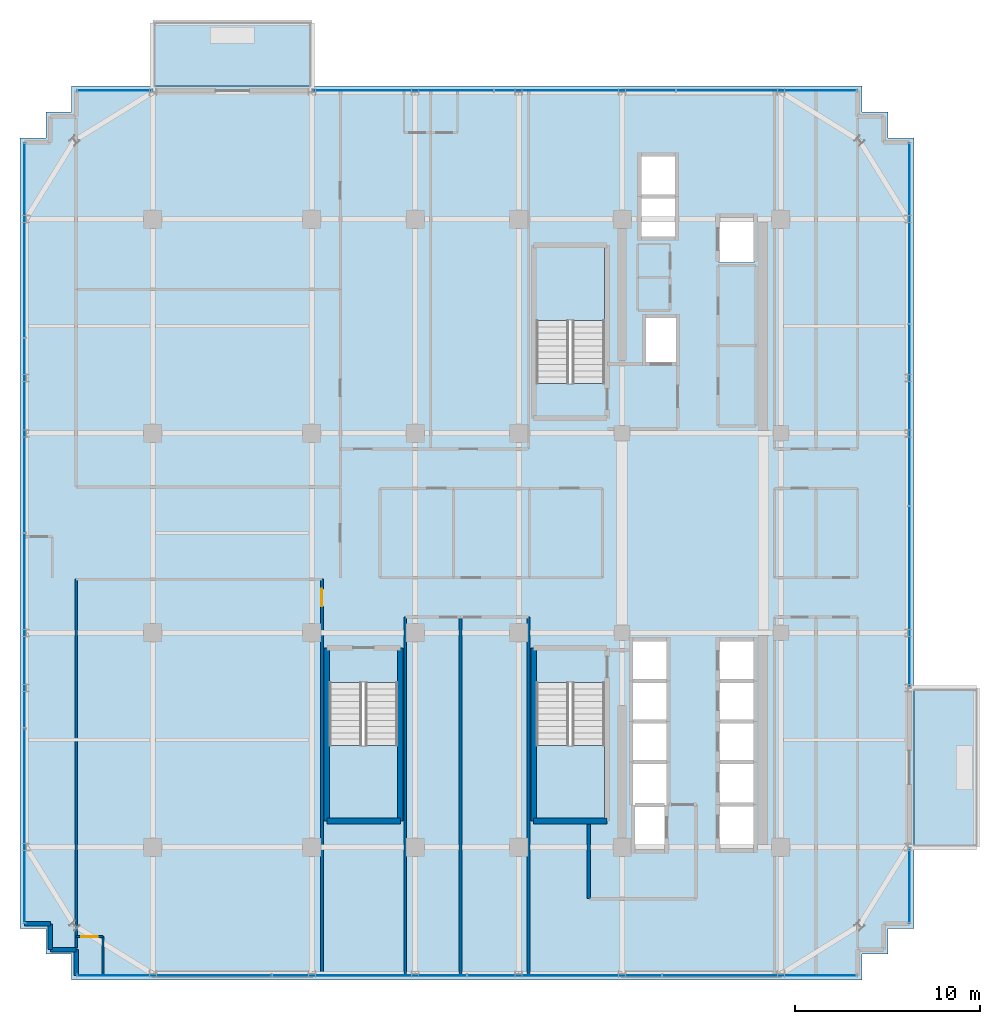
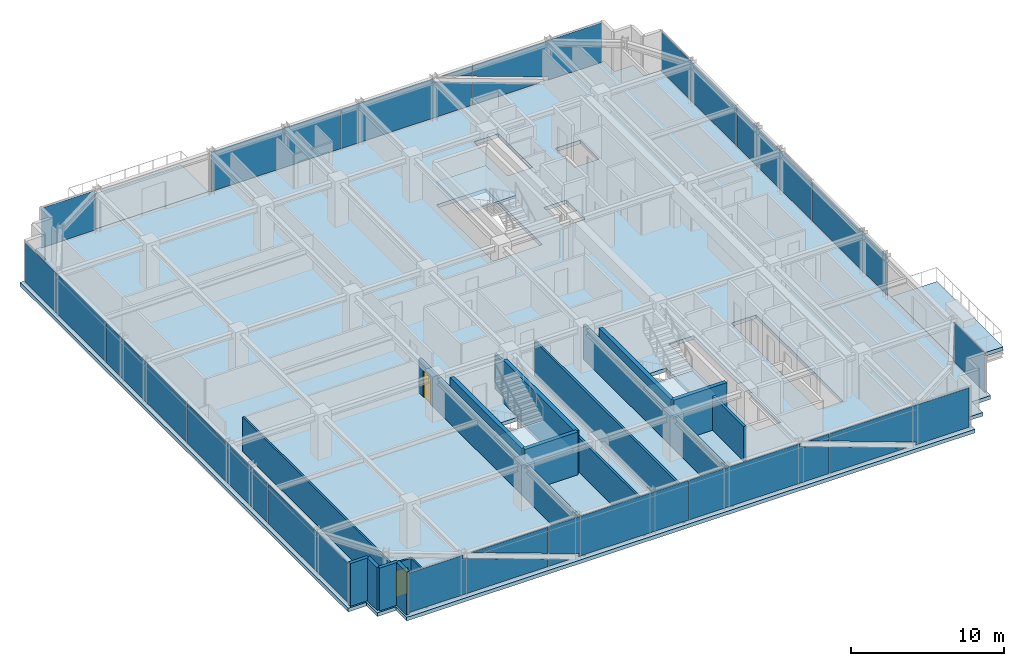
# One storey, part 29 of 36: 17 walls, 16 plates, 6 slabs, 2 doors, 2 openings, 9 elements without a shape of their own.
"""IFC4 building model written with IfcOpenShell, lengths in metres."""

from ifc_helpers import new_model, si_unit, direction, frame, frame_2d, origin, origin_2d, place, context, subcontext, project, spatial, polyline, rectangle, outline, extrude, source, transform, mapped, material, layer, layer_set, type_object, element, fill, aggregate, save


model = new_model("IFC4")

# Units and contexts
model_context = context("Model", 3, precision=1e-05, world=origin(), true_north=direction((0.0, 1.0)))
body_context = subcontext(model_context, "Body", "Model", "MODEL_VIEW")
ifc_project = project(units=[si_unit("LENGTHUNIT", "METRE"), si_unit("AREAUNIT", "SQUARE_METRE"), si_unit("VOLUMEUNIT", "CUBIC_METRE"), si_unit("PLANEANGLEUNIT", "RADIAN"), si_unit("MASSUNIT", "GRAM", prefix="KILO")], contexts=[model_context])

# Site, building, storey
site_placement = place(None, origin())
site = spatial("IfcSite", under=ifc_project, at=site_placement, CompositionType="ELEMENT")
building_placement = place(site_placement, origin())
building = spatial("IfcBuilding", under=site, at=building_placement, Name="Nahalor Promenade Grand Hotel", CompositionType="ELEMENT")
storey_placement = place(building_placement, frame((0.0, 0.0, 219.699951171875)))
storey = spatial("IfcBuildingStorey", under=building, at=storey_placement, Name="L56", CompositionType="ELEMENT", Elevation=219.699951171875)

# Curtain wall, plates
ifc_material_1 = material(Name="Anodised Bronze Aluminium EN AW-6063 T6", Category="aluminium")
curtain_wall_type = type_object("IfcCurtainWallType", Name="CW2 Typical Hotel Flush Bronze Unitised Curtain Wall", PredefinedType="USERDEFINED", material=ifc_material_1)
curtain_wall_1_placement = place(storey_placement, origin())
curtain_wall_1 = element("IfcCurtainWall", 1, at=curtain_wall_1_placement, inside=storey, type_object=curtain_wall_type, Name="L56 Curtain Wall CW-L56-S-1", ObjectType="UNITISED_CURTAIN_WALL", PredefinedType="USERDEFINED")
ifc_material_2 = material(Name="Low-E Laminated Solar Glass", Category="glass")
ifc_layer_1 = layer(ifc_material_2, 0.028076171875)
ifc_layer_set_1 = layer_set([ifc_layer_1], Name="Low-E Laminated Solar Glass")
plate_type = type_object("IfcPlateType", Name="CWP2 Bronze Low-E Vision IGU 28mm", PredefinedType="CURTAIN_PANEL", material=ifc_layer_set_1)
plate_1_placement = place(storey_placement, frame((-15.853759765625, -23.9599609375, 0.130126953125), z_axis=(0.0, 0.0, 1.0), x_axis=(1.0, 0.0, 0.0)))
plate_1 = element("IfcPlate", 2, at=plate_1_placement, type_object=plate_type, Name="CW-L56-S-1 Glazing Panel 0-0", PredefinedType="CURTAIN_PANEL", context=body_context, shape_type="SweptSolid", body=[
    extrude(outline(polyline([(-5.2412109375, 0.0), (5.2412109375, 0.0), (5.2412109375, 0.580810546875), (-1.246337890625, 2.927001953125), (-1.16552734375, 3.14990234375), (-5.2412109375, 3.14990234375), (-5.2412109375, 0.0)])), frame((0.0, 0.01416015625, 0.0), z_axis=(0.0, -1.0, 0.0), x_axis=(1.0, 0.0, 0.0)), (0.0, 0.0, 1.0), 0.028076171875),
    extrude(outline(polyline([(5.2412109375, 1.059326171875), (5.2412109375, 3.14990234375), (-0.5400390625, 3.14990234375), (5.2412109375, 1.059326171875)])), frame((0.0, 0.01416015625, 0.0), z_axis=(0.0, -1.0, 0.0), x_axis=(1.0, 0.0, 0.0)), (0.0, 0.0, 1.0), 0.028076171875),
])
plate_2_placement = place(storey_placement, frame((-5.2900390625, -23.9599609375, 0.130126953125), z_axis=(0.0, 0.0, 1.0), x_axis=(1.0, 0.0, 0.0)))
plate_2 = element("IfcPlate", 3, at=plate_2_placement, type_object=plate_type, Name="CW-L56-S-1 Glazing Panel 1-0", PredefinedType="CURTAIN_PANEL", context=body_context, shape_type="SweptSolid", body=[
    extrude(outline(polyline([(5.257568359375, 3.14990234375), (-5.257568359375, 3.14990234375), (-5.257568359375, 1.035888671875), (-3.010009765625, 0.22314453125), (-3.090576171875, 0.0), (5.257568359375, 0.0), (5.257568359375, 3.14990234375)])), frame((0.0, 0.01416015625, 0.0), z_axis=(0.0, -1.0, 0.0), x_axis=(1.0, 0.0, 0.0)), (0.0, 0.0, 1.0), 0.028076171875),
    extrude(outline(polyline([(-5.257568359375, 0.557373046875), (-5.257568359375, 0.0), (-3.71630859375, 0.0), (-5.257568359375, 0.557373046875)])), frame((0.0, 0.01416015625, 0.0), z_axis=(0.0, -1.0, 0.0), x_axis=(1.0, 0.0, 0.0)), (0.0, 0.0, 1.0), 0.028076171875),
])
plate_3_placement = place(storey_placement, frame((5.2900390625, -23.9599609375, 0.130126953125), z_axis=(0.0, 0.0, 1.0), x_axis=(1.0, 0.0, 0.0)))
plate_3 = element("IfcPlate", 4, at=plate_3_placement, type_object=plate_type, Name="CW-L56-S-1 Glazing Panel 2-0", PredefinedType="CURTAIN_PANEL", context=body_context, shape_type="SweptSolid", body=[
    extrude(outline(polyline([(-5.257568359375, 0.0), (5.257568359375, 0.0), (5.257568359375, 2.1142578125), (3.010009765625, 2.927001953125), (3.090576171875, 3.14990234375), (-5.257568359375, 3.14990234375), (-5.257568359375, 0.0)])), frame((0.0, 0.01416015625, 0.0), z_axis=(0.0, -1.0, 0.0), x_axis=(1.0, 0.0, 0.0)), (0.0, 0.0, 1.0), 0.028076171875),
    extrude(outline(polyline([(5.257568359375, 2.5927734375), (5.257568359375, 3.14990234375), (3.71630859375, 3.14990234375), (5.257568359375, 2.5927734375)])), frame((0.0, 0.01416015625, 0.0), z_axis=(0.0, -1.0, 0.0), x_axis=(1.0, 0.0, 0.0)), (0.0, 0.0, 1.0), 0.028076171875),
])
plate_4_placement = place(storey_placement, frame((15.853759765625, -23.9599609375, 0.130126953125), z_axis=(0.0, 0.0, 1.0), x_axis=(1.0, 0.0, 0.0)))
plate_4 = element("IfcPlate", 5, at=plate_4_placement, type_object=plate_type, Name="CW-L56-S-1 Glazing Panel 3-0", PredefinedType="CURTAIN_PANEL", context=body_context, shape_type="SweptSolid", body=[
    extrude(outline(polyline([(5.2412109375, 3.14990234375), (-5.2412109375, 3.14990234375), (-5.2412109375, 2.569091796875), (1.246337890625, 0.22314453125), (1.16552734375, 0.0), (5.2412109375, 0.0), (5.2412109375, 3.14990234375)])), frame((0.0, 0.01416015625, 0.0), z_axis=(0.0, -1.0, 0.0), x_axis=(1.0, 0.0, 0.0)), (0.0, 0.0, 1.0), 0.028076171875),
    extrude(outline(polyline([(-5.2412109375, 2.090576171875), (-5.2412109375, 0.0), (0.5400390625, 0.0), (-5.2412109375, 2.090576171875)])), frame((0.0, 0.01416015625, 0.0), z_axis=(0.0, -1.0, 0.0), x_axis=(1.0, 0.0, 0.0)), (0.0, 0.0, 1.0), 0.028076171875),
])
aggregate(curtain_wall_1, [plate_1, plate_2, plate_3, plate_4])

curtain_wall_2_placement = place(storey_placement, origin())
curtain_wall_2 = element("IfcCurtainWall", 6, at=curtain_wall_2_placement, inside=storey, type_object=curtain_wall_type, Name="L56 Curtain Wall CW-L56-N-3", ObjectType="UNITISED_CURTAIN_WALL", PredefinedType="USERDEFINED")
plate_5_placement = place(storey_placement, frame((6.3798828125, 23.9599609375, 0.130126953125), z_axis=(0.0, 0.0, 1.0), x_axis=(1.0, 0.0, 0.0)))
plate_5 = element("IfcPlate", 7, at=plate_5_placement, type_object=plate_type, Name="CW-L56-N-3 Glazing Panel 1-0", PredefinedType="CURTAIN_PANEL", context=body_context, shape_type="SweptSolid", body=[
    extrude(outline(polyline([(-4.894287109375, 0.0), (4.894287109375, 0.0), (4.894287109375, 1.851318359375), (1.919921875, 2.927001953125), (2.000732421875, 3.14990234375), (-4.894287109375, 3.14990234375), (-4.894287109375, 0.0)])), frame((0.0, 0.01416015625, 0.0), z_axis=(0.0, -1.0, 0.0), x_axis=(1.0, 0.0, 0.0)), (0.0, 0.0, 1.0), 0.028076171875),
    extrude(outline(polyline([(4.894287109375, 2.329833984375), (4.894287109375, 3.14990234375), (2.626220703125, 3.14990234375), (4.894287109375, 2.329833984375)])), frame((0.0, 0.01416015625, 0.0), z_axis=(0.0, -1.0, 0.0), x_axis=(1.0, 0.0, 0.0)), (0.0, 0.0, 1.0), 0.028076171875),
])
plate_6_placement = place(storey_placement, frame((16.217041015625, 23.9599609375, 0.130126953125), z_axis=(0.0, 0.0, 1.0), x_axis=(1.0, 0.0, 0.0)))
plate_6 = element("IfcPlate", 8, at=plate_6_placement, type_object=plate_type, Name="CW-L56-N-3 Glazing Panel 2-0", PredefinedType="CURTAIN_PANEL", context=body_context, shape_type="SweptSolid", body=[
    extrude(outline(polyline([(4.8779296875, 3.14990234375), (-4.8779296875, 3.14990234375), (-4.8779296875, 2.306396484375), (0.883056640625, 0.22314453125), (0.80224609375, 0.0), (4.8779296875, 0.0), (4.8779296875, 3.14990234375)])), frame((0.0, 0.01416015625, 0.0), z_axis=(0.0, -1.0, 0.0), x_axis=(1.0, 0.0, 0.0)), (0.0, 0.0, 1.0), 0.028076171875),
    extrude(outline(polyline([(-4.8779296875, 1.827880859375), (-4.8779296875, 0.0), (0.176513671875, 0.0), (-4.8779296875, 1.827880859375)])), frame((0.0, 0.01416015625, 0.0), z_axis=(0.0, -1.0, 0.0), x_axis=(1.0, 0.0, 0.0)), (0.0, 0.0, 1.0), 0.028076171875),
])

# Stair, slab
ifc_material_3 = material(Name="Concrete B-50 (C40/50)", Category="concrete")
stair_type_1 = type_object("IfcStairType", Name="Stair-ST1", PredefinedType="HALF_TURN_STAIR", material=ifc_material_3)
stair_1_placement = place(storey_placement, origin())
stair_1 = element("IfcStair", 9, at=stair_1_placement, inside=storey, type_object=stair_type_1, Name="L56 ST1", PredefinedType="HALF_TURN_STAIR")
ifc_layer_2 = layer(ifc_material_3, 0.199951171875)
ifc_layer_set_2 = layer_set([ifc_layer_2], Name="Concrete B-50 (C40/50)")
slab_type_1 = type_object("IfcSlabType", Name="Landing-ST1", PredefinedType="LANDING", material=ifc_layer_set_2)
slab_1_placement = place(storey_placement, frame((0.0, 0.0, 1.650146484375)))
slab_1 = element("IfcSlab", 10, at=slab_1_placement, type_object=slab_type_1, Name="ST1 landing 1", PredefinedType="LANDING", context=body_context, shape_type="SweptSolid", body=[
    extrude(outline(polyline([(7.449951171875, 11.5), (7.449951171875, 15.449951171875), (3.75, 15.449951171875), (3.75, 11.5), (7.449951171875, 11.5)])), origin(), (0.0, 0.0, 1.0), 0.199951171875),
])
aggregate(stair_1, [slab_1])

stair_type_2 = type_object("IfcStairType", Name="Stair-ST2", PredefinedType="HALF_TURN_STAIR", material=ifc_material_3)
stair_2_placement = place(storey_placement, origin())
stair_2 = element("IfcStair", 11, at=stair_2_placement, inside=storey, type_object=stair_type_2, Name="L56 ST2", PredefinedType="HALF_TURN_STAIR")
ifc_layer_3 = layer(ifc_material_3, 0.2099609375)
ifc_layer_set_3 = layer_set([ifc_layer_3], Name="Concrete B-50 (C40/50)")
slab_type_2 = type_object("IfcSlabType", Name="Landing-ST2", PredefinedType="LANDING", material=ifc_layer_set_3)
slab_2_placement = place(storey_placement, frame((0.0, 0.0, 1.64013671875)))
slab_2 = element("IfcSlab", 12, at=slab_2_placement, type_object=slab_type_2, Name="ST2 landing 1", PredefinedType="LANDING", context=body_context, shape_type="SweptSolid", body=[
    extrude(outline(polyline([(3.75, -11.5), (3.75, -15.449951171875), (7.449951171875, -15.449951171875), (7.449951171875, -11.5), (3.75, -11.5)])), origin(), (0.0, 0.0, 1.0), 0.2099609375),
])
aggregate(stair_2, [slab_2])

stair_type_3 = type_object("IfcStairType", Name="Stair-ST3", PredefinedType="HALF_TURN_STAIR", material=ifc_material_3)
stair_3_placement = place(storey_placement, origin())
stair_3 = element("IfcStair", 13, at=stair_3_placement, inside=storey, type_object=stair_type_3, Name="L56 ST3", PredefinedType="HALF_TURN_STAIR")
ifc_layer_4 = layer(ifc_material_3, 0.219970703125)
ifc_layer_set_4 = layer_set([ifc_layer_4], Name="Concrete B-50 (C40/50)")
slab_type_3 = type_object("IfcSlabType", Name="Landing-ST3", PredefinedType="LANDING", material=ifc_layer_set_4)
slab_3_placement = place(storey_placement, frame((0.0, 0.0, 1.630126953125)))
slab_3 = element("IfcSlab", 14, at=slab_3_placement, type_object=slab_type_3, Name="ST3 landing 1", PredefinedType="LANDING", context=body_context, shape_type="SweptSolid", body=[
    extrude(outline(polyline([(-7.449951171875, -11.5), (-7.449951171875, -15.449951171875), (-3.75, -15.449951171875), (-3.75, -11.5), (-7.449951171875, -11.5)])), origin(), (0.0, 0.0, 1.0), 0.219970703125),
])
aggregate(stair_3, [slab_3])

# Slabs
ifc_layer_5 = layer(ifc_material_3, 0.280029296875)
ifc_layer_set_5 = layer_set([ifc_layer_5], Name="Concrete B-50 (C40/50)")
slab_type_4 = type_object("IfcSlabType", Name="Slab-Balcony-280", PredefinedType="FLOOR", material=ifc_layer_set_5)
slab_4_placement = place(storey_placement, frame((0.0, 0.0, -0.280029296875)))
element("IfcSlab", 15, at=slab_4_placement, inside=storey, type_object=slab_type_4, Name="L56 Cantilevered Planted Balcony 1", PredefinedType="FLOOR", context=body_context, shape_type="SweptSolid", body=[
    extrude(outline(polyline([(-17.0, 24.199951171875), (-8.39990234375, 24.199951171875), (-8.39990234375, 27.7099609375), (-17.0, 27.7099609375), (-17.0, 24.199951171875)])), origin(), (0.0, 0.0, 1.0), 0.280029296875),
])
slab_5_placement = place(storey_placement, frame((0.0, 0.0, -0.280029296875)))
element("IfcSlab", 16, at=slab_5_placement, inside=storey, type_object=slab_type_4, Name="L56 Cantilevered Planted Balcony 2", PredefinedType="FLOOR", context=body_context, shape_type="SweptSolid", body=[
    extrude(outline(polyline([(24.199951171875, -17.0), (27.669921875, -17.0), (27.669921875, -8.39990234375), (24.199951171875, -8.39990234375), (24.199951171875, -17.0)])), origin(), (0.0, 0.0, 1.0), 0.280029296875),
])
ifc_layer_6 = layer(ifc_material_3, 0.2900390625)
ifc_layer_set_6 = layer_set([ifc_layer_6], Name="Concrete B-50 (C40/50)")
slab_type_5 = type_object("IfcSlabType", Name="Slab-TowerZ4-290", PredefinedType="FLOOR", material=ifc_layer_set_6)
slab_6_placement = place(storey_placement, frame((0.0, 0.0, -0.2900390625)))
element("IfcSlab", 17, at=slab_6_placement, inside=storey, type_object=slab_type_5, Name="L56 Suspended Structural Floor Slab", PredefinedType="FLOOR", context=body_context, shape_type="SweptSolid", body=[
    extrude(outline(polyline([(-21.39990234375, -24.199951171875), (21.39990234375, -24.199951171875), (21.39990234375, -22.800048828125), (22.800048828125, -22.800048828125), (22.800048828125, -21.39990234375), (24.199951171875, -21.39990234375), (24.199951171875, 21.39990234375), (22.800048828125, 21.39990234375), (22.800048828125, 22.800048828125), (21.39990234375, 22.800048828125), (21.39990234375, 24.199951171875), (-21.39990234375, 24.199951171875), (-21.39990234375, 22.800048828125), (-22.800048828125, 22.800048828125), (-22.800048828125, 21.39990234375), (-24.199951171875, 21.39990234375), (-24.199951171875, -21.39990234375), (-22.800048828125, -21.39990234375), (-22.800048828125, -22.800048828125), (-21.39990234375, -22.800048828125), (-21.39990234375, -24.199951171875)]), holes=[polyline([(3.75, 8.10009765625), (7.449951171875, 8.10009765625), (7.449951171875, 15.449951171875), (3.75, 15.449951171875), (3.75, 8.10009765625)]), polyline([(3.75, -15.449951171875), (7.449951171875, -15.449951171875), (7.449951171875, -8.10009765625), (3.75, -8.10009765625), (3.75, -15.449951171875)]), polyline([(-7.449951171875, -15.449951171875), (-3.75, -15.449951171875), (-3.75, -8.10009765625), (-7.449951171875, -8.10009765625), (-7.449951171875, -15.449951171875)]), polyline([(13.659912109375, -17.139892578125), (15.5400390625, -17.139892578125), (15.5400390625, -5.81005859375), (13.659912109375, -5.81005859375), (13.659912109375, -17.139892578125)]), polyline([(8.9599609375, -17.18994140625), (10.840087890625, -17.18994140625), (10.840087890625, -5.81005859375), (8.9599609375, -5.81005859375), (8.9599609375, -17.18994140625)]), polyline([(9.409912109375, 16.010009765625), (11.2900390625, 16.010009765625), (11.2900390625, 20.43994140625), (9.409912109375, 20.43994140625), (9.409912109375, 16.010009765625)]), polyline([(9.659912109375, 9.2099609375), (11.340087890625, 9.2099609375), (11.340087890625, 11.68994140625), (9.659912109375, 11.68994140625), (9.659912109375, 9.2099609375)]), polyline([(13.659912109375, 14.659912109375), (15.5400390625, 14.659912109375), (15.5400390625, 17.139892578125), (13.659912109375, 17.139892578125), (13.659912109375, 14.659912109375)])]), origin(), (0.0, 0.0, 1.0), 0.2900390625),
])

# Curtain wall, plates
curtain_wall_3_placement = place(storey_placement, origin())
curtain_wall_3 = element("IfcCurtainWall", 18, at=curtain_wall_3_placement, inside=storey, type_object=curtain_wall_type, Name="L56 Curtain Wall CW-L56-W-1", ObjectType="UNITISED_CURTAIN_WALL", PredefinedType="USERDEFINED")
shared_shape_1 = source(origin(), body_context, "Body", "SweptSolid", [
    extrude(rectangle(XDim=10.482421875, YDim=0.028076171875, at=origin_2d()), origin(), (0.0, 0.0, 1.0), 3.14990234375),
])
plate_7_placement = place(storey_placement, frame((-23.9599609375, -15.853759765625, 0.130126953125), z_axis=(0.0, 0.0, 1.0), x_axis=(0.0, 1.0, 0.0)))
plate_7 = element("IfcPlate", 19, at=plate_7_placement, type_object=plate_type, Name="CW-L56-W-1 Glazing Panel 0-0", PredefinedType="CURTAIN_PANEL", context=body_context, shape_type="MappedRepresentation", body=[
    mapped(shared_shape_1, transform((0.0, 0.0, 0.0), scale=1.0)),
])
plate_8_placement = place(storey_placement, frame((-23.9599609375, 15.853759765625, 0.130126953125), z_axis=(0.0, 0.0, 1.0), x_axis=(0.0, 1.0, 0.0)))
plate_8 = element("IfcPlate", 20, at=plate_8_placement, type_object=plate_type, Name="CW-L56-W-1 Glazing Panel 3-0", PredefinedType="CURTAIN_PANEL", context=body_context, shape_type="MappedRepresentation", body=[
    mapped(shared_shape_1, transform((0.0, 0.0, 0.0), scale=1.0)),
])
shared_shape_2 = source(origin(), body_context, "Body", "SweptSolid", [
    extrude(rectangle(XDim=10.514892578125, YDim=0.028076171875, at=origin_2d()), origin(), (0.0, 0.0, 1.0), 3.14990234375),
])
plate_9_placement = place(storey_placement, frame((-23.9599609375, -5.2900390625, 0.130126953125), z_axis=(0.0, 0.0, 1.0), x_axis=(0.0, 1.0, 0.0)))
plate_9 = element("IfcPlate", 21, at=plate_9_placement, type_object=plate_type, Name="CW-L56-W-1 Glazing Panel 1-0", PredefinedType="CURTAIN_PANEL", context=body_context, shape_type="MappedRepresentation", body=[
    mapped(shared_shape_2, transform((0.0, 0.0, 0.0), scale=1.0)),
])
plate_10_placement = place(storey_placement, frame((-23.9599609375, 5.2900390625, 0.130126953125), z_axis=(0.0, 0.0, 1.0), x_axis=(0.0, 1.0, 0.0)))
plate_10 = element("IfcPlate", 22, at=plate_10_placement, type_object=plate_type, Name="CW-L56-W-1 Glazing Panel 2-0", PredefinedType="CURTAIN_PANEL", context=body_context, shape_type="MappedRepresentation", body=[
    mapped(shared_shape_2, transform((0.0, 0.0, 0.0), scale=1.0)),
])
aggregate(curtain_wall_3, [plate_7, plate_9, plate_10, plate_8])

# Curtain wall, plate
curtain_wall_4_placement = place(storey_placement, origin())
curtain_wall_4 = element("IfcCurtainWall", 23, at=curtain_wall_4_placement, inside=storey, type_object=curtain_wall_type, Name="L56 Curtain Wall CW-L56-N-1", ObjectType="UNITISED_CURTAIN_WALL", PredefinedType="USERDEFINED")
shared_shape_3 = source(origin(), body_context, "Body", "SweptSolid", [
    extrude(rectangle(XDim=4.030029296875, YDim=0.028076171875, at=origin_2d()), origin(), (0.0, 0.0, 1.0), 3.14990234375),
])
plate_11_placement = place(storey_placement, frame((-19.080078125, 23.9599609375, 0.130126953125), z_axis=(0.0, 0.0, 1.0), x_axis=(1.0, 0.0, 0.0)))
plate_11 = element("IfcPlate", 24, at=plate_11_placement, type_object=plate_type, Name="CW-L56-N-1 Glazing Panel 0-0", PredefinedType="CURTAIN_PANEL", context=body_context, shape_type="MappedRepresentation", body=[
    mapped(shared_shape_3, transform((0.0, 0.0, 0.0), scale=1.0)),
])
aggregate(curtain_wall_4, [plate_11])

curtain_wall_5_placement = place(storey_placement, origin())
curtain_wall_5 = element("IfcCurtainWall", 25, at=curtain_wall_5_placement, inside=storey, type_object=curtain_wall_type, Name="L56 Curtain Wall CW-L56-E-1", ObjectType="UNITISED_CURTAIN_WALL", PredefinedType="USERDEFINED")
plate_12_placement = place(storey_placement, frame((23.9599609375, -19.080078125, 0.130126953125), z_axis=(0.0, 0.0, 1.0), x_axis=(0.0, 1.0, 0.0)))
plate_12 = element("IfcPlate", 26, at=plate_12_placement, type_object=plate_type, Name="CW-L56-E-1 Glazing Panel 0-0", PredefinedType="CURTAIN_PANEL", context=body_context, shape_type="MappedRepresentation", body=[
    mapped(shared_shape_3, transform((0.0, 0.0, 0.0), scale=1.0)),
])
aggregate(curtain_wall_5, [plate_12])

# Plate
shared_shape_4 = source(origin(), body_context, "Body", "SweptSolid", [
    extrude(rectangle(XDim=9.755859375, YDim=0.028076171875, at=origin_2d()), origin(), (0.0, 0.0, 1.0), 3.14990234375),
])
plate_13_placement = place(storey_placement, frame((-3.45703125, 23.9599609375, 0.130126953125), z_axis=(0.0, 0.0, 1.0), x_axis=(1.0, 0.0, 0.0)))
plate_13 = element("IfcPlate", 27, at=plate_13_placement, type_object=plate_type, Name="CW-L56-N-3 Glazing Panel 0-0", PredefinedType="CURTAIN_PANEL", context=body_context, shape_type="MappedRepresentation", body=[
    mapped(shared_shape_4, transform((0.0, 0.0, 0.0), scale=1.0)),
])

aggregate(curtain_wall_2, [plate_13, plate_5, plate_6])

# Curtain wall, plates
curtain_wall_6_placement = place(storey_placement, origin())
curtain_wall_6 = element("IfcCurtainWall", 28, at=curtain_wall_6_placement, inside=storey, type_object=curtain_wall_type, Name="L56 Curtain Wall CW-L56-E-3", ObjectType="UNITISED_CURTAIN_WALL", PredefinedType="USERDEFINED")
plate_14_placement = place(storey_placement, frame((23.9599609375, -3.45703125, 0.130126953125), z_axis=(0.0, 0.0, 1.0), x_axis=(0.0, 1.0, 0.0)))
plate_14 = element("IfcPlate", 29, at=plate_14_placement, type_object=plate_type, Name="CW-L56-E-3 Glazing Panel 0-0", PredefinedType="CURTAIN_PANEL", context=body_context, shape_type="MappedRepresentation", body=[
    mapped(shared_shape_4, transform((0.0, 0.0, 0.0), scale=1.0)),
])
plate_15_placement = place(storey_placement, frame((23.9599609375, 16.217041015625, 0.130126953125), z_axis=(0.0, 0.0, 1.0), x_axis=(0.0, 1.0, 0.0)))
plate_15 = element("IfcPlate", 30, at=plate_15_placement, type_object=plate_type, Name="CW-L56-E-3 Glazing Panel 2-0", PredefinedType="CURTAIN_PANEL", context=body_context, shape_type="MappedRepresentation", body=[
    mapped(shared_shape_4, transform((0.0, 0.0, 0.0), scale=1.0)),
])
shared_shape_5 = source(origin(), body_context, "Body", "SweptSolid", [
    extrude(rectangle(XDim=9.788330078125, YDim=0.028076171875, at=origin_2d()), origin(), (0.0, 0.0, 1.0), 3.14990234375),
])
plate_16_placement = place(storey_placement, frame((23.9599609375, 6.3798828125, 0.130126953125), z_axis=(0.0, 0.0, 1.0), x_axis=(0.0, 1.0, 0.0)))
plate_16 = element("IfcPlate", 31, at=plate_16_placement, type_object=plate_type, Name="CW-L56-E-3 Glazing Panel 1-0", PredefinedType="CURTAIN_PANEL", context=body_context, shape_type="MappedRepresentation", body=[
    mapped(shared_shape_5, transform((0.0, 0.0, 0.0), scale=1.0)),
])
aggregate(curtain_wall_6, [plate_14, plate_16, plate_15])

# Walls
ifc_layer_7 = layer(ifc_material_3, 0.300048828125)
ifc_layer_set_7 = layer_set([ifc_layer_7], Name="Concrete B-50 (C40/50)")
wall_type_1 = type_object("IfcWallType", Name="Wall-ShaftShear-300", PredefinedType="SHEAR", material=ifc_layer_set_7)
shared_shape_6 = source(origin(), body_context, "Body", "SweptSolid", [
    extrude(rectangle(XDim=3.97998046875, YDim=0.300048828125, at=frame_2d((1.989990234375, 0.0))), origin(), (0.0, 0.0, 1.0), 3.41015625),
])
for number, where, z_axis, x_axis, name in (
    (32, (3.610107421875, -15.590087890625, 0.0), (0.0, 0.0, 1.0), (1.0, 0.0, 0.0), "L56 Exit Stair ST2 Shaft Wall S"),
    (33, (-7.590087890625, -15.590087890625, 0.0), (0.0, 0.0, 1.0), (1.0, 0.0, 0.0), "L56 Exit Stair ST3 Shaft Wall S"),
):
    element("IfcWall", number, at=place(storey_placement, frame(where, z_axis=z_axis, x_axis=x_axis)), inside=storey, type_object=wall_type_1, Name=name, PredefinedType="SHEAR", context=body_context, shape_type="MappedRepresentation", body=[
        mapped(shared_shape_6, transform((0.0, 0.0, 0.0), scale=1.0)),
    ])
shared_shape_7 = source(origin(), body_context, "Body", "SweptSolid", [
    extrude(rectangle(XDim=9.380126953125, YDim=0.300048828125, at=frame_2d((4.68994140625, 0.0))), origin(), (0.0, 0.0, 1.0), 3.41015625),
])
for number, where, z_axis, x_axis, name in (
    (34, (3.610107421875, -15.590087890625, 0.0), (0.0, 0.0, 1.0), (0.0, 1.0, 0.0), "L56 Exit Stair ST2 Shaft Wall W"),
    (35, (-7.590087890625, -15.590087890625, 0.0), (0.0, 0.0, 1.0), (0.0, 1.0, 0.0), "L56 Exit Stair ST3 Shaft Wall W"),
    (36, (-3.610107421875, -15.590087890625, 0.0), (0.0, 0.0, 1.0), (0.0, 1.0, 0.0), "L56 Exit Stair ST3 Shaft Wall E"),
):
    element("IfcWall", number, at=place(storey_placement, frame(where, z_axis=z_axis, x_axis=x_axis)), inside=storey, type_object=wall_type_1, Name=name, PredefinedType="SHEAR", context=body_context, shape_type="MappedRepresentation", body=[
        mapped(shared_shape_7, transform((0.0, 0.0, 0.0), scale=1.0)),
    ])
ifc_material_4 = material(Name="Concrete B-40 (C32/40)", Category="concrete")
ifc_layer_8 = layer(ifc_material_4, 0.25)
ifc_layer_set_8 = layer_set([ifc_layer_8], Name="Concrete B-40 (C32/40)")
wall_type_2 = type_object("IfcWallType", Name="Wall-BronzePier-250", PredefinedType="STANDARD", material=ifc_layer_set_8)
shared_shape_8 = source(origin(), body_context, "Body", "SweptSolid", [
    extrude(rectangle(XDim=1.39990234375, YDim=0.25, at=frame_2d((0.699951171875, 0.0))), origin(), (0.0, 0.0, 1.0), 3.41015625),
])
for number, where, z_axis, x_axis, name in (
    (37, (-23.9599609375, -21.159912109375, 0.0), (0.0, 0.0, 1.0), (1.0, 0.0, 0.0), "W-L56-SR-13"),
    (38, (-21.159912109375, -23.9599609375, 0.0), (0.0, 0.0, 1.0), (0.0, 1.0, 0.0), "W-L56-SR-16"),
):
    element("IfcWall", number, at=place(storey_placement, frame(where, z_axis=z_axis, x_axis=x_axis)), inside=storey, type_object=wall_type_2, Name=name, PredefinedType="STANDARD", context=body_context, shape_type="MappedRepresentation", body=[
        mapped(shared_shape_8, transform((0.0, 0.0, 0.0), scale=1.0)),
    ])
shared_shape_9 = source(origin(), body_context, "Body", "SweptSolid", [
    extrude(rectangle(XDim=1.400146484375, YDim=0.25, at=frame_2d((0.7001953125, 0.0))), origin(), (0.0, 0.0, 1.0), 3.41015625),
])
for number, where, z_axis, x_axis, name in (
    (39, (-22.56005859375, -22.56005859375, 0.0), (0.0, 0.0, 1.0), (0.0, 1.0, 0.0), "W-L56-SR-14"),
    (40, (-22.56005859375, -22.56005859375, 0.0), (0.0, 0.0, 1.0), (1.0, 0.0, 0.0), "W-L56-SR-15"),
):
    element("IfcWall", number, at=place(storey_placement, frame(where, z_axis=z_axis, x_axis=x_axis)), inside=storey, type_object=wall_type_2, Name=name, PredefinedType="STANDARD", context=body_context, shape_type="MappedRepresentation", body=[
        mapped(shared_shape_9, transform((0.0, 0.0, 0.0), scale=1.0)),
    ])
ifc_layer_9 = layer(ifc_material_4, 0.199951171875)
ifc_layer_set_9 = layer_set([ifc_layer_9], Name="Concrete B-40 (C32/40)")
wall_type_3 = type_object("IfcWallType", Name="Wall-PartFire-200", PredefinedType="PARTITIONING", material=ifc_layer_set_9)
shared_shape_10 = source(origin(), body_context, "Body", "SweptSolid", [
    extrude(rectangle(XDim=4.030029296875, YDim=0.199951171875, at=frame_2d((2.01513671875, 0.0))), origin(), (0.0, 0.0, 1.0), 2.75),
])
wall_1_placement = place(storey_placement, frame((6.60009765625, -19.800048828125, 0.0), z_axis=(0.0, 0.0, 1.0), x_axis=(0.0, 1.0, 0.0)))
element("IfcWall", 41, at=wall_1_placement, inside=storey, type_object=wall_type_3, Name="W-L56-FF2-W1", PredefinedType="PARTITIONING", context=body_context, shape_type="MappedRepresentation", body=[
    mapped(shared_shape_10, transform((0.0, 0.0, 0.0), scale=1.0)),
])
ifc_material_5 = material(Name="Acoustic Mineral Gypsum", Category="gypsum")
ifc_layer_10 = layer(ifc_material_5, 0.159912109375)
ifc_layer_set_10 = layer_set([ifc_layer_10], Name="Acoustic Mineral Gypsum")
wall_type_4 = type_object("IfcWallType", Name="Wall-PartCorridor-160", PredefinedType="PARTITIONING", material=ifc_layer_set_10)
shared_shape_11 = source(origin(), body_context, "Body", "SweptSolid", [
    extrude(rectangle(XDim=19.349853515625, YDim=0.159912109375, at=frame_2d((9.6748046875, 0.0))), origin(), (0.0, 0.0, 1.0), 2.75),
])
for number, where, z_axis, x_axis, name in (
    (42, (-3.340087890625, -23.89990234375, 0.0), (0.0, 0.0, 1.0), (0.0, 1.0, 0.0), "W-L56-SCB1-W"),
    (43, (-0.35009765625, -23.89990234375, 0.0), (0.0, 0.0, 1.0), (0.0, 1.0, 0.0), "W-L56-SCB1-E"),
    (44, (3.340087890625, -23.89990234375, 0.0), (0.0, 0.0, 1.0), (0.0, 1.0, 0.0), "W-L56-SCB2-E"),
):
    element("IfcWall", number, at=place(storey_placement, frame(where, z_axis=z_axis, x_axis=x_axis)), inside=storey, type_object=wall_type_4, Name=name, PredefinedType="PARTITIONING", context=body_context, shape_type="MappedRepresentation", body=[
        mapped(shared_shape_11, transform((0.0, 0.0, 0.0), scale=1.0)),
    ])

# Wall, opening, door
shared_shape_12 = source(origin(), body_context, "Body", "SweptSolid", [
    extrude(rectangle(XDim=21.39990234375, YDim=0.159912109375, at=frame_2d((10.699951171875, 0.0))), origin(), (0.0, 0.0, 1.0), 2.75),
])
wall_2_placement = place(storey_placement, frame((-7.860107421875, -23.89990234375, 0.0), z_axis=(0.0, 0.0, 1.0), x_axis=(0.0, 1.0, 0.0)))
wall_2 = element("IfcWall", 45, at=wall_2_placement, inside=storey, type_object=wall_type_4, Name="W-L56-ZSW-E", PredefinedType="PARTITIONING", context=body_context, shape_type="MappedRepresentation", body=[
    mapped(shared_shape_12, transform((0.0, 0.0, 0.0), scale=1.0)),
])
opening_1_placement = place(wall_2_placement, frame((19.925048828125, 0.0, 0.0)))
opening_1 = element("IfcOpeningElement", 46, at=opening_1_placement, cuts=wall_2, Name="Opening D-01", PredefinedType="OPENING", context=body_context, shape_type="SweptSolid", body=[
    extrude(rectangle(XDim=0.949951171875, YDim=2.10009765625, at=frame_2d((0.47509765625, 1.050048828125))), frame((0.0, 0.08984375, 0.0), z_axis=(0.0, -1.0, 0.0), x_axis=(1.0, 0.0, 0.0)), (0.0, 0.0, 1.0), 0.179931640625),
])
ifc_material_6 = material(Name="Fire-Rated Timber Composite", Category="wood")
door_type_1 = type_object("IfcDoorType", Name="Door-GuestEntry-950", OperationType="NOTDEFINED", PredefinedType="DOOR", material=ifc_material_6)
shared_shape_13 = source(origin(), body_context, "Body", "SweptSolid", [
    extrude(rectangle(XDim=0.949951171875, YDim=2.10009765625, at=frame_2d((0.47509765625, 1.050048828125))), frame((0.0, 0.02490234375, 0.0), z_axis=(0.0, -1.0, 0.0), x_axis=(1.0, 0.0, 0.0)), (0.0, 0.0, 1.0), 0.050048828125),
])
door_1_placement = place(opening_1_placement, origin())
door_1 = element("IfcDoor", 47, at=door_1_placement, inside=storey, type_object=door_type_1, Name="DR-L56-SW0-ENT", OperationType="SINGLE_SWING_RIGHT", OverallHeight=2.10009765625, OverallWidth=0.949951171875, PredefinedType="DOOR", context=body_context, shape_type="MappedRepresentation", body=[
    mapped(shared_shape_13, transform((0.0, 0.0, 0.0), scale=1.0)),
])
fill(opening_1, door_1)

# Wall
ifc_layer_11 = layer(ifc_material_5, 0.139892578125)
ifc_layer_set_11 = layer_set([ifc_layer_11], Name="Acoustic Mineral Gypsum")
wall_type_5 = type_object("IfcWallType", Name="Wall-PartSuite-140", PredefinedType="PARTITIONING", material=ifc_layer_set_11)
shared_shape_14 = source(origin(), body_context, "Body", "SweptSolid", [
    extrude(rectangle(XDim=19.97998046875, YDim=0.139892578125, at=frame_2d((9.989990234375, 0.0))), origin(), (0.0, 0.0, 1.0), 2.75),
])
wall_3_placement = place(storey_placement, frame((-21.159912109375, -22.47998046875, 0.0), z_axis=(0.0, 0.0, 1.0), x_axis=(0.0, 1.0, 0.0)))
element("IfcWall", 48, at=wall_3_placement, inside=storey, type_object=wall_type_5, Name="W-L56-ZSW-W", PredefinedType="PARTITIONING", context=body_context, shape_type="MappedRepresentation", body=[
    mapped(shared_shape_14, transform((0.0, 0.0, 0.0), scale=1.0)),
])

# Wall, opening, door
ifc_layer_12 = layer(ifc_material_5, 0.1201171875)
ifc_layer_set_12 = layer_set([ifc_layer_12], Name="Acoustic Mineral Gypsum")
wall_type_6 = type_object("IfcWallType", Name="Wall-PartBath-120", PredefinedType="PARTITIONING", material=ifc_layer_set_12)
shared_shape_15 = source(origin(), body_context, "Body", "SweptSolid", [
    extrude(rectangle(XDim=1.449951171875, YDim=0.1201171875, at=frame_2d((0.72509765625, 0.0))), origin(), (0.0, 0.0, 1.0), 2.75),
])
wall_4_placement = place(storey_placement, frame((-21.159912109375, -21.85009765625, 0.0), z_axis=(0.0, 0.0, 1.0), x_axis=(1.0, 0.0, 0.0)))
wall_4 = element("IfcWall", 49, at=wall_4_placement, inside=storey, type_object=wall_type_6, Name="W-L56-SW0-BH", PredefinedType="PARTITIONING", context=body_context, shape_type="MappedRepresentation", body=[
    mapped(shared_shape_15, transform((0.0, 0.0, 0.0), scale=1.0)),
])
opening_2_placement = place(wall_4_placement, frame((0.284912109375, 0.0, 0.0)))
opening_2 = element("IfcOpeningElement", 50, at=opening_2_placement, cuts=wall_4, Name="Opening D-03", PredefinedType="OPENING", context=body_context, shape_type="SweptSolid", body=[
    extrude(rectangle(XDim=0.8798828125, YDim=2.10009765625, at=frame_2d((0.43994140625, 1.050048828125))), frame((0.0, 0.070068359375, 0.0), z_axis=(0.0, -1.0, 0.0), x_axis=(1.0, 0.0, 0.0)), (0.0, 0.0, 1.0), 0.14013671875),
])
door_type_2 = type_object("IfcDoorType", Name="Door-BathSwing-880", OperationType="NOTDEFINED", PredefinedType="DOOR", material=ifc_material_6)
shared_shape_16 = source(origin(), body_context, "Body", "SweptSolid", [
    extrude(rectangle(XDim=0.8798828125, YDim=2.10009765625, at=frame_2d((0.43994140625, 1.050048828125))), frame((0.0, 0.02490234375, 0.0), z_axis=(0.0, -1.0, 0.0), x_axis=(1.0, 0.0, 0.0)), (0.0, 0.0, 1.0), 0.050048828125),
])
door_2_placement = place(opening_2_placement, frame((0.8798828125, 0.0, 0.0), z_axis=(0.0, 0.0, 1.0), x_axis=(-1.0, 0.0, 0.0)))
door_2 = element("IfcDoor", 51, at=door_2_placement, inside=storey, type_object=door_type_2, Name="DR-L56-SW0-BATH", OperationType="SINGLE_SWING_LEFT", OverallHeight=2.10009765625, OverallWidth=0.8798828125, PredefinedType="DOOR", context=body_context, shape_type="MappedRepresentation", body=[
    mapped(shared_shape_16, transform((0.0, 0.0, 0.0), scale=1.0)),
])
fill(opening_2, door_2)

# Wall
shared_shape_17 = source(origin(), body_context, "Body", "SweptSolid", [
    extrude(rectangle(XDim=2.0498046875, YDim=0.1201171875, at=frame_2d((1.02490234375, 0.0))), origin(), (0.0, 0.0, 1.0), 2.75),
])
wall_5_placement = place(storey_placement, frame((-19.7099609375, -23.89990234375, 0.0), z_axis=(0.0, 0.0, 1.0), x_axis=(0.0, 1.0, 0.0)))
element("IfcWall", 52, at=wall_5_placement, inside=storey, type_object=wall_type_6, Name="W-L56-SW0-BV", PredefinedType="PARTITIONING", context=body_context, shape_type="MappedRepresentation", body=[
    mapped(shared_shape_17, transform((0.0, 0.0, 0.0), scale=1.0)),
])

save(model, "model.ifc")
